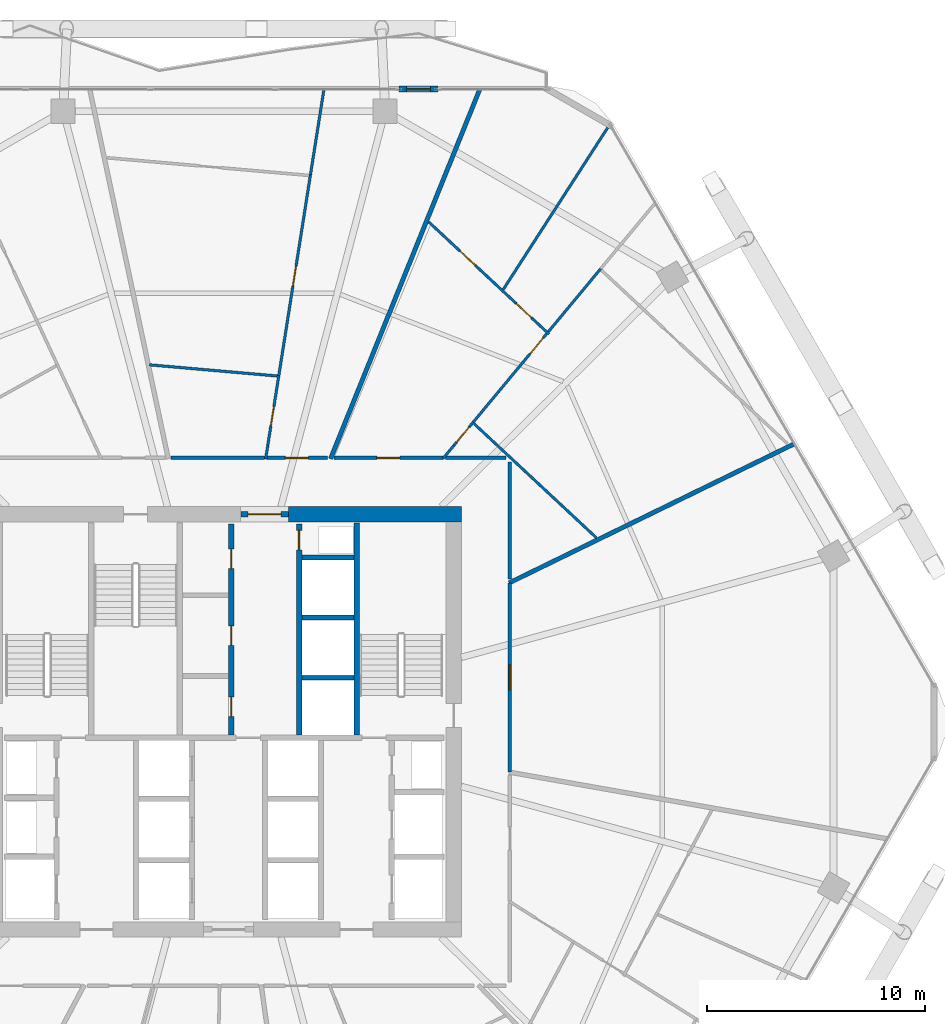
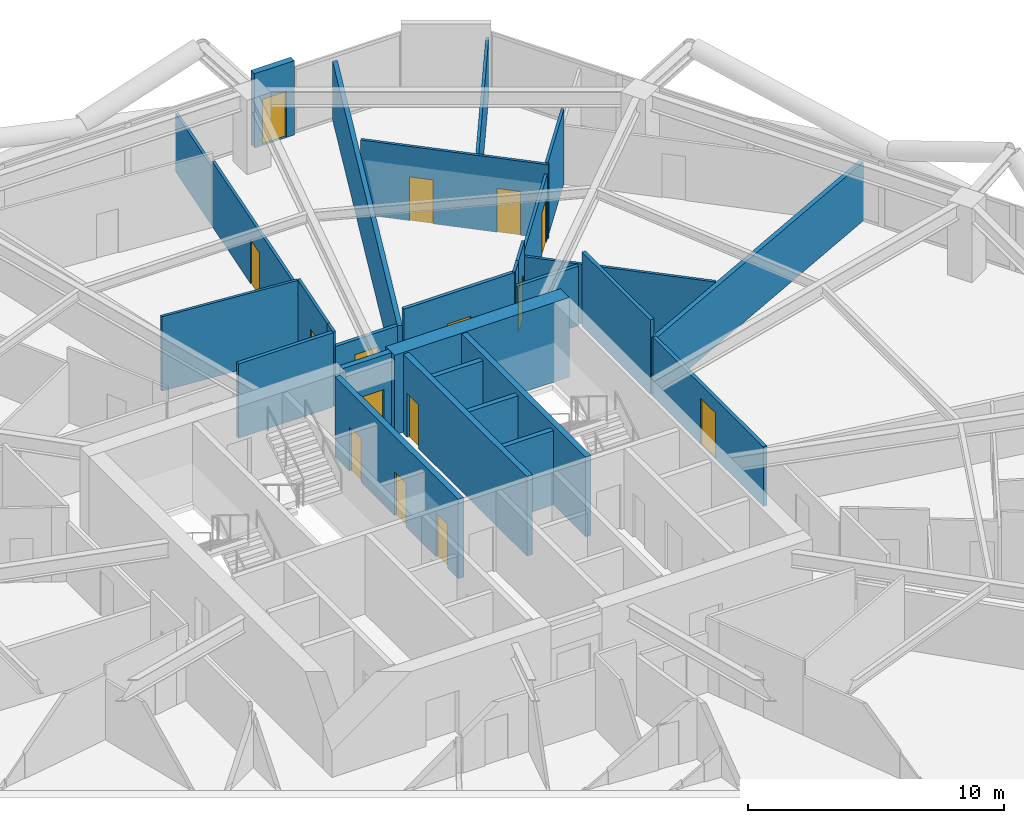
# One storey, part 31 of 35: 29 walls, 15 doors, 15 openings.
"""IFC4 building model written with IfcOpenShell, lengths in metres."""

from ifc_helpers import new_model, si_unit, direction, frame, frame_2d, origin, place, context, subcontext, project, spatial, rectangle, extrude, material, layer, layer_set, type_object, element, fill, save


model = new_model("IFC4")

# Units and contexts
model_context = context("Model", 3, precision=1e-05, world=origin(), true_north=direction((0.0, 1.0)))
body_context = subcontext(model_context, "Body", "Model", "MODEL_VIEW")
ifc_project = project(units=[si_unit("LENGTHUNIT", "METRE"), si_unit("AREAUNIT", "SQUARE_METRE"), si_unit("VOLUMEUNIT", "CUBIC_METRE"), si_unit("PLANEANGLEUNIT", "RADIAN"), si_unit("MASSUNIT", "GRAM", prefix="KILO")], contexts=[model_context])

# Site, building, storey
site_placement = place(None, origin())
site = spatial("IfcSite", under=ifc_project, at=site_placement, CompositionType="ELEMENT")
building_placement = place(site_placement, origin())
building = spatial("IfcBuilding", under=site, at=building_placement, Name="Zuhravey Tower", CompositionType="ELEMENT")
storey_placement = place(building_placement, frame((0.0, 0.0, 138.0)))
storey = spatial("IfcBuildingStorey", under=building, at=storey_placement, Name="L34", CompositionType="ELEMENT", Elevation=138.0)

# Wall
ifc_material_1 = material(Name="Concrete C60/75", Category="concrete")
ifc_layer_1 = layer(ifc_material_1, 0.699951171875)
ifc_layer_set_1 = layer_set([ifc_layer_1], Name="Concrete C60/75")
wall_type_1 = type_object("IfcWallType", Name="Core Shear Wall 700", PredefinedType="SHEAR", material=ifc_layer_set_1)
wall_1_placement = place(storey_placement, frame((46.85009765625, 41.5, 0.0), z_axis=(0.0, 0.0, 1.0), x_axis=(-1.0, 0.0, 0.0)))
element("IfcWall", 1, at=wall_1_placement, inside=storey, type_object=wall_type_1, Name="L34 North-East Core Shear Wall CW70", PredefinedType="SHEAR", context=body_context, shape_type="SweptSolid", body=[
    extrude(rectangle(XDim=7.900146484375, YDim=0.699951171875, at=frame_2d((3.9501953125, 0.0))), origin(), (0.0, 0.0, 1.0), 3.800048828125),
])

# Wall, opening, door
ifc_material_2 = material(Name="Gypsum fire-rated stud partition")
ifc_layer_2 = layer(ifc_material_2, 0.159912109375)
ifc_layer_set_2 = layer_set([ifc_layer_2], Name="Gypsum fire-rated stud partition")
wall_type_2 = type_object("IfcWallType", Name="Corridor Fire Partition 160", PredefinedType="PARTITIONING", material=ifc_layer_set_2)
wall_2_placement = place(storey_placement, frame((46.010009765625, 44.080078125, 0.0), z_axis=(0.0, 0.0, 1.0), x_axis=(-1.0, 0.0, 0.0)))
wall_2 = element("IfcWall", 2, at=wall_2_placement, inside=storey, type_object=wall_type_2, Name="L34 IW16 Partition 024", PredefinedType="PARTITIONING", context=body_context, shape_type="SweptSolid", body=[
    extrude(rectangle(XDim=4.984619140625, YDim=0.159912109375, at=frame_2d((2.4921875, 0.0))), origin(), (0.0, 0.0, 1.0), 3.550048828125),
])
opening_1_placement = place(wall_2_placement, frame((1.96728515625, 0.0, 0.0)))
opening_1 = element("IfcOpeningElement", 3, at=opening_1_placement, cuts=wall_2, Name="Opening APD1", PredefinedType="OPENING", context=body_context, shape_type="SweptSolid", body=[
    extrude(rectangle(XDim=1.050048828125, YDim=2.14990234375, at=frame_2d((0.52490234375, 1.074951171875))), frame((0.0, 0.092041015625, 0.0), z_axis=(0.0, -1.0, 0.0), x_axis=(1.0, 0.0, 0.0)), (0.0, 0.0, 1.0), 0.183837890625),
])
ifc_material_3 = material(Name="Solid-core oak fire-rated leaf")
door_type_1 = type_object("IfcDoorType", Name="Apartment Entrance Fire Door 1050x2150", OperationType="NOTDEFINED", PredefinedType="DOOR", material=ifc_material_3)
door_1_placement = place(opening_1_placement, frame((1.050048828125, 0.0, 0.0), z_axis=(0.0, 0.0, 1.0), x_axis=(-1.0, 0.0, 0.0)))
door_1 = element("IfcDoor", 4, at=door_1_placement, inside=storey, type_object=door_type_1, Name="L34 Door 024.1", OperationType="SINGLE_SWING_RIGHT", OverallHeight=2.14990234375, OverallWidth=1.050048828125, PredefinedType="DOOR", context=body_context, shape_type="SweptSolid", body=[
    extrude(rectangle(XDim=1.050048828125, YDim=2.14990234375, at=frame_2d((0.52490234375, 1.074951171875))), frame((0.0, 0.02490234375, 0.0), z_axis=(0.0, -1.0, 0.0), x_axis=(1.0, 0.0, 0.0)), (0.0, 0.0, 1.0), 0.050048828125),
])
fill(opening_1, door_1)

wall_3_placement = place(storey_placement, frame((40.73681640625, 44.080078125, 0.0), z_axis=(0.0, 0.0, 1.0), x_axis=(-1.0, 0.0, 0.0)))
wall_3 = element("IfcWall", 5, at=wall_3_placement, inside=storey, type_object=wall_type_2, Name="L34 IW16 Partition 028", PredefinedType="PARTITIONING", context=body_context, shape_type="SweptSolid", body=[
    extrude(rectangle(XDim=2.81201171875, YDim=0.159912109375, at=frame_2d((1.406005859375, 0.0))), origin(), (0.0, 0.0, 1.0), 2.85009765625),
])
opening_2_placement = place(wall_3_placement, frame((0.881103515625, 0.0, 0.0)))
opening_2 = element("IfcOpeningElement", 6, at=opening_2_placement, cuts=wall_3, Name="Opening APD1", PredefinedType="OPENING", context=body_context, shape_type="SweptSolid", body=[
    extrude(rectangle(XDim=1.050048828125, YDim=2.14990234375, at=frame_2d((0.52490234375, 1.074951171875))), frame((0.0, 0.092041015625, 0.0), z_axis=(0.0, -1.0, 0.0), x_axis=(1.0, 0.0, 0.0)), (0.0, 0.0, 1.0), 0.183837890625),
])
door_2_placement = place(opening_2_placement, frame((1.050048828125, 0.0, 0.0), z_axis=(0.0, 0.0, 1.0), x_axis=(-1.0, 0.0, 0.0)))
door_2 = element("IfcDoor", 7, at=door_2_placement, inside=storey, type_object=door_type_1, Name="L34 Door 028.1", OperationType="SINGLE_SWING_RIGHT", OverallHeight=2.14990234375, OverallWidth=1.050048828125, PredefinedType="DOOR", context=body_context, shape_type="SweptSolid", body=[
    extrude(rectangle(XDim=1.050048828125, YDim=2.14990234375, at=frame_2d((0.52490234375, 1.074951171875))), frame((0.0, 0.02490234375, 0.0), z_axis=(0.0, -1.0, 0.0), x_axis=(1.0, 0.0, 0.0)), (0.0, 0.0, 1.0), 0.050048828125),
])
fill(opening_2, door_2)

wall_4_placement = place(storey_placement, frame((49.080078125, 29.714111328125, 0.0), z_axis=(0.0, 0.0, 1.0), x_axis=(0.0, 1.0, 0.0)))
wall_4 = element("IfcWall", 8, at=wall_4_placement, inside=storey, type_object=wall_type_2, Name="L34 IW16 Partition 065", PredefinedType="PARTITIONING", context=body_context, shape_type="SweptSolid", body=[
    extrude(rectangle(XDim=8.643310546875, YDim=0.159912109375, at=frame_2d((4.32177734375, 0.0))), origin(), (0.0, 0.0, 1.0), 2.85009765625),
])
opening_3_placement = place(wall_4_placement, frame((3.74658203125, 0.0, 0.0)))
opening_3 = element("IfcOpeningElement", 9, at=opening_3_placement, cuts=wall_4, Name="Opening CLD1", PredefinedType="OPENING", context=body_context, shape_type="SweptSolid", body=[
    extrude(rectangle(XDim=1.14990234375, YDim=2.199951171875, at=frame_2d((0.574951171875, 1.10009765625))), frame((0.0, 0.092041015625, 0.0), z_axis=(0.0, -1.0, 0.0), x_axis=(1.0, 0.0, 0.0)), (0.0, 0.0, 1.0), 0.183837890625),
])
ifc_material_4 = material(Name="Acoustic timber leaf with vision lite", Category="wood")
door_type_2 = type_object("IfcDoorType", Name="Classroom Acoustic Door 1150x2200", OperationType="NOTDEFINED", PredefinedType="DOOR", material=ifc_material_4)
door_3_placement = place(opening_3_placement, frame((1.14990234375, 0.0, 0.0), z_axis=(0.0, 0.0, 1.0), x_axis=(-1.0, 0.0, 0.0)))
door_3 = element("IfcDoor", 10, at=door_3_placement, inside=storey, type_object=door_type_2, Name="L34 Door 065.1", OperationType="SINGLE_SWING_LEFT", OverallHeight=2.199951171875, OverallWidth=1.14990234375, PredefinedType="DOOR", context=body_context, shape_type="SweptSolid", body=[
    extrude(rectangle(XDim=1.14990234375, YDim=2.199951171875, at=frame_2d((0.574951171875, 1.10009765625))), frame((0.0, 0.02490234375, 0.0), z_axis=(0.0, -1.0, 0.0), x_axis=(1.0, 0.0, 0.0)), (0.0, 0.0, 1.0), 0.050048828125),
])
fill(opening_3, door_3)

# Walls
wall_5_placement = place(storey_placement, frame((49.080078125, 38.543701171875, 0.0), z_axis=(0.0, 0.0, 1.0), x_axis=(0.0, 1.0, 0.0)))
element("IfcWall", 11, at=wall_5_placement, inside=storey, type_object=wall_type_2, Name="L34 IW16 Partition 121", PredefinedType="PARTITIONING", context=body_context, shape_type="SweptSolid", body=[
    extrude(rectangle(XDim=5.356201171875, YDim=0.159912109375, at=frame_2d((2.67822265625, 0.0))), origin(), (0.0, 0.0, 1.0), 3.550048828125),
])
wall_6_placement = place(storey_placement, frame((48.89990234375, 44.080078125, 0.0), z_axis=(0.0, 0.0, 1.0), x_axis=(-1.0, 0.0, 0.0)))
element("IfcWall", 12, at=wall_6_placement, inside=storey, type_object=wall_type_2, Name="L34 IW16 Partition 122", PredefinedType="PARTITIONING", context=body_context, shape_type="SweptSolid", body=[
    extrude(rectangle(XDim=2.775390625, YDim=0.159912109375, at=frame_2d((1.3876953125, 0.0))), origin(), (0.0, 0.0, 1.0), 2.85009765625),
])
wall_7_placement = place(storey_placement, frame((37.835693359375, 44.080078125, 0.0), z_axis=(0.0, 0.0, 1.0), x_axis=(-1.0, 0.0, 0.0)))
element("IfcWall", 13, at=wall_7_placement, inside=storey, type_object=wall_type_2, Name="L34 IW16 Partition 123", PredefinedType="PARTITIONING", context=body_context, shape_type="SweptSolid", body=[
    extrude(rectangle(XDim=4.27294921875, YDim=0.159912109375, at=frame_2d((2.136474609375, 0.0))), origin(), (0.0, 0.0, 1.0), 3.550048828125),
])

# Wall, opening, door
ifc_material_5 = material(Name="Precast concrete C40/50", Category="concrete")
ifc_layer_3 = layer(ifc_material_5, 0.280029296875)
ifc_layer_set_3 = layer_set([ifc_layer_3], Name="Precast concrete C40/50")
wall_type_3 = type_object("IfcWallType", Name="Crown Architectural Wall 280", PredefinedType="SOLIDWALL", material=ifc_layer_set_3)
wall_8_placement = place(storey_placement, frame((43.993408203125, 60.95849609375, 0.0), z_axis=(0.0, 0.0, 1.0), x_axis=(1.0, 0.0, 0.0)))
wall_8 = element("IfcWall", 14, at=wall_8_placement, inside=storey, type_object=wall_type_3, Name="L34 Face 2 Facade Pier EW28-1", PredefinedType="SOLIDWALL", context=body_context, shape_type="SweptSolid", body=[
    extrude(rectangle(XDim=1.7900390625, YDim=0.280029296875, at=frame_2d((0.89501953125, 0.0))), origin(), (0.0, 0.0, 1.0), 3.550048828125),
])
opening_4_placement = place(wall_8_placement, frame((0.344970703125, 0.0, 0.0)))
opening_4 = element("IfcOpeningElement", 15, at=opening_4_placement, cuts=wall_8, Name="Opening BLD1", PredefinedType="OPENING", context=body_context, shape_type="SweptSolid", body=[
    extrude(rectangle(XDim=1.10009765625, YDim=2.199951171875, at=frame_2d((0.550048828125, 1.10009765625))), frame((0.0, 0.152099609375, 0.0), z_axis=(0.0, -1.0, 0.0), x_axis=(1.0, 0.0, 0.0)), (0.0, 0.0, 1.0), 0.303955078125),
])
ifc_material_6 = material(Name="Thermally broken aluminium and low-E glass", Category="aluminium")
door_type_3 = type_object("IfcDoorType", Name="Balcony & Sky-Tray Glazed Door 1100x2200", OperationType="NOTDEFINED", PredefinedType="DOOR", material=ifc_material_6)
door_4_placement = place(opening_4_placement, frame((1.10009765625, 0.0, 0.0), z_axis=(0.0, 0.0, 1.0), x_axis=(-1.0, 0.0, 0.0)))
door_4 = element("IfcDoor", 16, at=door_4_placement, inside=storey, type_object=door_type_3, Name="L34 Face 2 Wave Balcony Door", OperationType="SINGLE_SWING_RIGHT", OverallHeight=2.199951171875, OverallWidth=1.10009765625, PredefinedType="DOOR", context=body_context, shape_type="SweptSolid", body=[
    extrude(rectangle(XDim=1.10009765625, YDim=2.199951171875, at=frame_2d((0.550048828125, 1.10009765625))), frame((0.0, 0.02490234375, 0.0), z_axis=(0.0, -1.0, 0.0), x_axis=(1.0, 0.0, 0.0)), (0.0, 0.0, 1.0), 0.050048828125),
])
fill(opening_4, door_4)

ifc_material_7 = material(Name="Concrete C50/60", Category="concrete")
ifc_layer_4 = layer(ifc_material_7, 0.25)
ifc_layer_set_4 = layer_set([ifc_layer_4], Name="Concrete C50/60")
wall_type_4 = type_object("IfcWallType", Name="Firefighting Shaft & Stair Wall 250", PredefinedType="SOLIDWALL", material=ifc_layer_set_4)
wall_9_placement = place(storey_placement, frame((36.760009765625, 41.5, 0.0), z_axis=(0.0, 0.0, 1.0), x_axis=(1.0, 0.0, 0.0)))
wall_9 = element("IfcWall", 17, at=wall_9_placement, inside=storey, type_object=wall_type_4, Name="L34 FW25 Shaft Wall 002", PredefinedType="SOLIDWALL", context=body_context, shape_type="SweptSolid", body=[
    extrude(rectangle(XDim=2.179931640625, YDim=0.25, at=frame_2d((1.08984375, 0.0))), origin(), (0.0, 0.0, 1.0), 3.800048828125),
])
opening_5_placement = place(wall_9_placement, frame((0.340087890625, 0.0, 0.0)))
opening_5 = element("IfcOpeningElement", 18, at=opening_5_placement, cuts=wall_9, Name="Opening FFD1", PredefinedType="OPENING", context=body_context, shape_type="SweptSolid", body=[
    extrude(rectangle(XDim=1.5, YDim=2.14990234375, at=frame_2d((0.75, 1.074951171875))), frame((0.0, 0.136962890625, 0.0), z_axis=(0.0, -1.0, 0.0), x_axis=(1.0, 0.0, 0.0)), (0.0, 0.0, 1.0), 0.27392578125),
])
ifc_material_8 = material(Name="Galvanised fire-rated steel leaf", Category="steel")
door_type_4 = type_object("IfcDoorType", Name="Firefighting Lobby Double Door 1500x2150", OperationType="DOUBLE_DOOR_SINGLE_SWING", PredefinedType="DOOR", material=ifc_material_8)
door_5_placement = place(opening_5_placement, origin())
door_5 = element("IfcDoor", 19, at=door_5_placement, inside=storey, type_object=door_type_4, Name="L34 North Lift Lobby Exit Door", OperationType="DOUBLE_DOOR_SINGLE_SWING", OverallHeight=2.14990234375, OverallWidth=1.5, PredefinedType="DOOR", context=body_context, shape_type="SweptSolid", body=[
    extrude(rectangle(XDim=1.5, YDim=2.14990234375, at=frame_2d((0.75, 1.074951171875))), frame((0.0, 0.02490234375, 0.0), z_axis=(0.0, -1.0, 0.0), x_axis=(1.0, 0.0, 0.0)), (0.0, 0.0, 1.0), 0.050048828125),
])
fill(opening_5, door_5)

# Wall
wall_10_placement = place(storey_placement, frame((42.074951171875, 31.39990234375, 0.0), z_axis=(0.0, 0.0, 1.0), x_axis=(0.0, 1.0, 0.0)))
element("IfcWall", 20, at=wall_10_placement, inside=storey, type_object=wall_type_4, Name="L34 FW25 Shaft Wall 006", PredefinedType="SOLIDWALL", context=body_context, shape_type="SweptSolid", body=[
    extrude(rectangle(XDim=9.7001953125, YDim=0.25, at=frame_2d((4.85009765625, 0.0))), origin(), (0.0, 0.0, 1.0), 3.800048828125),
])

# Wall, openings, doors
wall_11_placement = place(storey_placement, frame((36.324951171875, 31.39990234375, 0.0), z_axis=(0.0, 0.0, 1.0), x_axis=(0.0, 1.0, 0.0)))
wall_11 = element("IfcWall", 21, at=wall_11_placement, inside=storey, type_object=wall_type_4, Name="L34 FW25 Shaft Wall 007", PredefinedType="SOLIDWALL", context=body_context, shape_type="SweptSolid", body=[
    extrude(rectangle(XDim=9.650146484375, YDim=0.25, at=frame_2d((4.8251953125, 0.0))), origin(), (0.0, 0.0, 1.0), 3.800048828125),
])
opening_6_placement = place(wall_11_placement, frame((0.840087890625, 0.0, 0.0)))
opening_6 = element("IfcOpeningElement", 22, at=opening_6_placement, cuts=wall_11, Name="Opening RSD1", PredefinedType="OPENING", context=body_context, shape_type="SweptSolid", body=[
    extrude(rectangle(XDim=0.89990234375, YDim=2.10009765625, at=frame_2d((0.449951171875, 1.050048828125))), frame((0.0, 0.136962890625, 0.0), z_axis=(0.0, -1.0, 0.0), x_axis=(1.0, 0.0, 0.0)), (0.0, 0.0, 1.0), 0.27392578125),
])
opening_7_placement = place(wall_11_placement, frame((4.10009765625, 0.0, 0.0)))
opening_7 = element("IfcOpeningElement", 23, at=opening_7_placement, cuts=wall_11, Name="Opening RSD1", PredefinedType="OPENING", context=body_context, shape_type="SweptSolid", body=[
    extrude(rectangle(XDim=0.89990234375, YDim=2.10009765625, at=frame_2d((0.449951171875, 1.050048828125))), frame((0.0, 0.136962890625, 0.0), z_axis=(0.0, -1.0, 0.0), x_axis=(1.0, 0.0, 0.0)), (0.0, 0.0, 1.0), 0.27392578125),
])
opening_8_placement = place(wall_11_placement, frame((7.610107421875, 0.0, 0.0)))
opening_8 = element("IfcOpeningElement", 24, at=opening_8_placement, cuts=wall_11, Name="Opening RSD1", PredefinedType="OPENING", context=body_context, shape_type="SweptSolid", body=[
    extrude(rectangle(XDim=0.89990234375, YDim=2.10009765625, at=frame_2d((0.449951171875, 1.050048828125))), frame((0.0, 0.136962890625, 0.0), z_axis=(0.0, -1.0, 0.0), x_axis=(1.0, 0.0, 0.0)), (0.0, 0.0, 1.0), 0.27392578125),
])
ifc_material_9 = material(Name="Galvanised fire-rated steel access leaf", Category="steel")
door_type_5 = type_object("IfcDoorType", Name="Riser & Shaft Access Fire Door 900x2100", OperationType="NOTDEFINED", PredefinedType="DOOR", material=ifc_material_9)
door_6_placement = place(opening_6_placement, origin())
door_6 = element("IfcDoor", 25, at=door_6_placement, inside=storey, type_object=door_type_5, Name="L34 Core Staff WC Door", OperationType="SINGLE_SWING_RIGHT", OverallHeight=2.10009765625, OverallWidth=0.89990234375, PredefinedType="DOOR", context=body_context, shape_type="SweptSolid", body=[
    extrude(rectangle(XDim=0.89990234375, YDim=2.10009765625, at=frame_2d((0.449951171875, 1.050048828125))), frame((0.0, 0.02490234375, 0.0), z_axis=(0.0, -1.0, 0.0), x_axis=(1.0, 0.0, 0.0)), (0.0, 0.0, 1.0), 0.050048828125),
])
fill(opening_6, door_6)
door_7_placement = place(opening_7_placement, origin())
door_7 = element("IfcDoor", 26, at=door_7_placement, inside=storey, type_object=door_type_5, Name="L34 IT and Comms Room Door", OperationType="SINGLE_SWING_LEFT", OverallHeight=2.10009765625, OverallWidth=0.89990234375, PredefinedType="DOOR", context=body_context, shape_type="SweptSolid", body=[
    extrude(rectangle(XDim=0.89990234375, YDim=2.10009765625, at=frame_2d((0.449951171875, 1.050048828125))), frame((0.0, 0.02490234375, 0.0), z_axis=(0.0, -1.0, 0.0), x_axis=(1.0, 0.0, 0.0)), (0.0, 0.0, 1.0), 0.050048828125),
])
fill(opening_7, door_7)
door_8_placement = place(opening_8_placement, origin())
door_8 = element("IfcDoor", 27, at=door_8_placement, inside=storey, type_object=door_type_5, Name="L34 Janitor Linen Store Door", OperationType="SINGLE_SWING_RIGHT", OverallHeight=2.10009765625, OverallWidth=0.89990234375, PredefinedType="DOOR", context=body_context, shape_type="SweptSolid", body=[
    extrude(rectangle(XDim=0.89990234375, YDim=2.10009765625, at=frame_2d((0.449951171875, 1.050048828125))), frame((0.0, 0.02490234375, 0.0), z_axis=(0.0, -1.0, 0.0), x_axis=(1.0, 0.0, 0.0)), (0.0, 0.0, 1.0), 0.050048828125),
])
fill(opening_8, door_8)

# Wall, opening, door
wall_12_placement = place(storey_placement, frame((39.425048828125, 31.39990234375, 0.0), z_axis=(0.0, 0.0, 1.0), x_axis=(0.0, 1.0, 0.0)))
wall_12 = element("IfcWall", 28, at=wall_12_placement, inside=storey, type_object=wall_type_4, Name="L34 FW25 Shaft Wall 008", PredefinedType="SOLIDWALL", context=body_context, shape_type="SweptSolid", body=[
    extrude(rectangle(XDim=9.650146484375, YDim=0.25, at=frame_2d((4.8251953125, 0.0))), origin(), (0.0, 0.0, 1.0), 3.800048828125),
])
opening_9_placement = place(wall_12_placement, frame((8.469970703125, 0.0, 0.0)))
opening_9 = element("IfcOpeningElement", 29, at=opening_9_placement, cuts=wall_12, Name="Opening RSD1", PredefinedType="OPENING", context=body_context, shape_type="SweptSolid", body=[
    extrude(rectangle(XDim=0.89990234375, YDim=2.10009765625, at=frame_2d((0.449951171875, 1.050048828125))), frame((0.0, 0.136962890625, 0.0), z_axis=(0.0, -1.0, 0.0), x_axis=(1.0, 0.0, 0.0)), (0.0, 0.0, 1.0), 0.27392578125),
])
door_9_placement = place(opening_9_placement, origin())
door_9 = element("IfcDoor", 30, at=door_9_placement, inside=storey, type_object=door_type_5, Name="L34 North Riser Door", OperationType="SINGLE_SWING_LEFT", OverallHeight=2.10009765625, OverallWidth=0.89990234375, PredefinedType="DOOR", context=body_context, shape_type="SweptSolid", body=[
    extrude(rectangle(XDim=0.89990234375, YDim=2.10009765625, at=frame_2d((0.449951171875, 1.050048828125))), frame((0.0, 0.02490234375, 0.0), z_axis=(0.0, -1.0, 0.0), x_axis=(1.0, 0.0, 0.0)), (0.0, 0.0, 1.0), 0.050048828125),
])
fill(opening_9, door_9)

# Walls
ifc_material_10 = material(Name="Gypsum double-stud party assembly")
ifc_layer_5 = layer(ifc_material_10, 0.199951171875)
ifc_layer_set_5 = layer_set([ifc_layer_5], Name="Gypsum double-stud party assembly")
wall_type_5 = type_object("IfcWallType", Name="Inter-Tenancy Party Wall 200", PredefinedType="PARTITIONING", material=ifc_layer_set_5)
wall_13_placement = place(storey_placement, frame((49.0400390625, 38.360107421875, 0.0), z_axis=(0.0, 0.0, 1.0), x_axis=(0.898795428948, 0.438368311927, 0.0)))
element("IfcWall", 31, at=wall_13_placement, inside=storey, type_object=wall_type_5, Name="L34 IW20 Partition 075", PredefinedType="PARTITIONING", context=body_context, shape_type="SweptSolid", body=[
    extrude(rectangle(XDim=14.520751953125, YDim=0.199951171875, at=frame_2d((7.26025390625, 0.0))), origin(), (0.0, 0.0, 1.0), 2.800048828125),
])
wall_14_placement = place(storey_placement, frame((40.864501953125, 44.0400390625, 0.0), z_axis=(0.0, 0.0, 1.0), x_axis=(0.374604184898, 0.927184827668, 0.0)))
element("IfcWall", 32, at=wall_14_placement, inside=storey, type_object=wall_type_5, Name="L34 IW20 Partition 080", PredefinedType="PARTITIONING", context=body_context, shape_type="SweptSolid", body=[
    extrude(rectangle(XDim=18.2470703125, YDim=0.199951171875, at=frame_2d((9.12353515625, 0.0))), origin(), (0.0, 0.0, 1.0), 2.800048828125),
])
ifc_material_11 = material(Name="Gypsum acoustic stud assembly")
ifc_layer_6 = layer(ifc_material_11, 0.219970703125)
ifc_layer_set_6 = layer_set([ifc_layer_6], Name="Gypsum acoustic stud assembly")
wall_type_6 = type_object("IfcWallType", Name="School Acoustic Compartment Wall 220", PredefinedType="PARTITIONING", material=ifc_layer_set_6)
for number, where, z_axis, x_axis, name in (
    (33, (39.55810546875, 34.02490234375, 0.0), (0.0, 0.0, 1.0), (1.0, 0.0, 0.0), "L34 IW22 Partition 068"),
    (34, (39.55810546875, 36.77490234375, 0.0), (0.0, 0.0, 1.0), (1.0, 0.0, 0.0), "L34 IW22 Partition 069"),
    (35, (39.55810546875, 39.52490234375, 0.0), (0.0, 0.0, 1.0), (1.0, 0.0, 0.0), "L34 IW22 Partition 070"),
):
    element("IfcWall", number, at=place(storey_placement, frame(where, z_axis=z_axis, x_axis=x_axis)), inside=storey, type_object=wall_type_6, Name=name, PredefinedType="PARTITIONING", context=body_context, shape_type="SweptSolid", body=[
        extrude(rectangle(XDim=2.3837890625, YDim=0.219970703125, at=frame_2d((1.19189453125, 0.0))), origin(), (0.0, 0.0, 1.0), 3.550048828125),
    ])

# Wall, openings, doors
ifc_material_12 = material(Name="Gypsum metal-stud partition")
ifc_layer_7 = layer(ifc_material_12, 0.1201171875)
ifc_layer_set_7 = layer_set([ifc_layer_7], Name="Gypsum metal-stud partition")
wall_type_7 = type_object("IfcWallType", Name="Unit Internal Partition 120", PredefinedType="PARTITIONING", material=ifc_layer_set_7)
wall_15_placement = place(storey_placement, frame((50.87158203125, 49.743896484375, 0.0), z_axis=(0.0, 0.0, 1.0), x_axis=(-0.731331373679, 0.682022303062, 0.0)))
wall_15 = element("IfcWall", 36, at=wall_15_placement, inside=storey, type_object=wall_type_7, Name="L34 IW12 Partition 019", PredefinedType="PARTITIONING", context=body_context, shape_type="SweptSolid", body=[
    extrude(rectangle(XDim=7.52587890625, YDim=0.1201171875, at=frame_2d((3.762939453125, 0.0))), origin(), (0.0, 0.0, 1.0), 3.550048828125),
])
opening_10_placement = place(wall_15_placement, frame((1.10693359375, 0.0, 0.0)))
opening_10 = element("IfcOpeningElement", 37, at=opening_10_placement, cuts=wall_15, Name="Opening IND1", PredefinedType="OPENING", context=body_context, shape_type="SweptSolid", body=[
    extrude(rectangle(XDim=0.949951171875, YDim=2.10009765625, at=frame_2d((0.47509765625, 1.050048828125))), frame((0.0, 0.072021484375, 0.0), z_axis=(0.0, -1.0, 0.0), x_axis=(1.0, 0.0, 0.0)), (0.0, 0.0, 1.0), 0.14404296875),
])
opening_11_placement = place(wall_15_placement, frame((4.6279296875, 0.0, 0.0)))
opening_11 = element("IfcOpeningElement", 38, at=opening_11_placement, cuts=wall_15, Name="Opening IND1", PredefinedType="OPENING", context=body_context, shape_type="SweptSolid", body=[
    extrude(rectangle(XDim=0.949951171875, YDim=2.10009765625, at=frame_2d((0.47509765625, 1.050048828125))), frame((0.0, 0.072021484375, 0.0), z_axis=(0.0, -1.0, 0.0), x_axis=(1.0, 0.0, 0.0)), (0.0, 0.0, 1.0), 0.14404296875),
])
ifc_material_13 = material(Name="Painted engineered timber leaf", Category="wood")
door_type_6 = type_object("IfcDoorType", Name="Internal Room & Bedroom Door 950x2100", OperationType="NOTDEFINED", PredefinedType="DOOR", material=ifc_material_13)
door_10_placement = place(opening_10_placement, frame((0.949951171875, 0.0, 0.0), z_axis=(0.0, 0.0, 1.0), x_axis=(-1.0, 0.0, 0.0)))
door_10 = element("IfcDoor", 39, at=door_10_placement, inside=storey, type_object=door_type_6, Name="Apartment L34-01 Family Study Door", OperationType="SINGLE_SWING_LEFT", OverallHeight=2.10009765625, OverallWidth=0.949951171875, PredefinedType="DOOR", context=body_context, shape_type="SweptSolid", body=[
    extrude(rectangle(XDim=0.949951171875, YDim=2.10009765625, at=frame_2d((0.47509765625, 1.050048828125))), frame((0.0, 0.02490234375, 0.0), z_axis=(0.0, -1.0, 0.0), x_axis=(1.0, 0.0, 0.0)), (0.0, 0.0, 1.0), 0.050048828125),
])
fill(opening_10, door_10)
door_11_placement = place(opening_11_placement, frame((0.949951171875, 0.0, 0.0), z_axis=(0.0, 0.0, 1.0), x_axis=(-1.0, 0.0, 0.0)))
door_11 = element("IfcDoor", 40, at=door_11_placement, inside=storey, type_object=door_type_6, Name="Apartment L34-01 Dining Room Door", OperationType="SINGLE_SWING_RIGHT", OverallHeight=2.10009765625, OverallWidth=0.949951171875, PredefinedType="DOOR", context=body_context, shape_type="SweptSolid", body=[
    extrude(rectangle(XDim=0.949951171875, YDim=2.10009765625, at=frame_2d((0.47509765625, 1.050048828125))), frame((0.0, 0.02490234375, 0.0), z_axis=(0.0, -1.0, 0.0), x_axis=(1.0, 0.0, 0.0)), (0.0, 0.0, 1.0), 0.050048828125),
])
fill(opening_11, door_11)

# Wall, opening, door
wall_16_placement = place(storey_placement, frame((46.509765625, 44.64990234375, 0.0), z_axis=(0.0, 0.0, 1.0), x_axis=(0.639059700244, 0.769157135782, 0.0)))
wall_16 = element("IfcWall", 41, at=wall_16_placement, inside=storey, type_object=wall_type_7, Name="L34 IW12 Partition 020", PredefinedType="PARTITIONING", context=body_context, shape_type="SweptSolid", body=[
    extrude(rectangle(XDim=1.388671875, YDim=0.1201171875, at=frame_2d((0.6943359375, 0.0))), origin(), (0.0, 0.0, 1.0), 3.550048828125),
])
opening_12_placement = place(wall_16_placement, frame((0.199951171875, 0.0, 0.0)))
opening_12 = element("IfcOpeningElement", 42, at=opening_12_placement, cuts=wall_16, Name="Opening WCD1", PredefinedType="OPENING", context=body_context, shape_type="SweptSolid", body=[
    extrude(rectangle(XDim=0.89990234375, YDim=2.10009765625, at=frame_2d((0.449951171875, 1.050048828125))), frame((0.0, 0.072021484375, 0.0), z_axis=(0.0, -1.0, 0.0), x_axis=(1.0, 0.0, 0.0)), (0.0, 0.0, 1.0), 0.14404296875),
])
ifc_material_14 = material(Name="Moisture-resistant timber leaf", Category="wood")
door_type_7 = type_object("IfcDoorType", Name="Bathroom & WC Internal Door 900x2100", OperationType="NOTDEFINED", PredefinedType="DOOR", material=ifc_material_14)
door_12_placement = place(opening_12_placement, frame((0.89990234375, 0.0, 0.0), z_axis=(0.0, 0.0, 1.0), x_axis=(-1.0, 0.0, 0.0)))
door_12 = element("IfcDoor", 43, at=door_12_placement, inside=storey, type_object=door_type_7, Name="Apartment L34-01 Bathroom Door", OperationType="SINGLE_SWING_LEFT", OverallHeight=2.10009765625, OverallWidth=0.89990234375, PredefinedType="DOOR", context=body_context, shape_type="SweptSolid", body=[
    extrude(rectangle(XDim=0.89990234375, YDim=2.10009765625, at=frame_2d((0.449951171875, 1.050048828125))), frame((0.0, 0.02490234375, 0.0), z_axis=(0.0, -1.0, 0.0), x_axis=(1.0, 0.0, 0.0)), (0.0, 0.0, 1.0), 0.050048828125),
])
fill(opening_12, door_12)

wall_17_placement = place(storey_placement, frame((47.397216796875, 45.718017578125, 0.0), z_axis=(0.0, 0.0, 1.0), x_axis=(0.639009121336, 0.769199156818, 0.0)))
wall_17 = element("IfcWall", 44, at=wall_17_placement, inside=storey, type_object=wall_type_7, Name="L34 IW12 Partition 021", PredefinedType="PARTITIONING", context=body_context, shape_type="SweptSolid", body=[
    extrude(rectangle(XDim=5.25439453125, YDim=0.1201171875, at=frame_2d((2.627197265625, 0.0))), origin(), (0.0, 0.0, 1.0), 3.10009765625),
])
opening_13_placement = place(wall_17_placement, frame((4.064208984375, 0.0, 0.0)))
opening_13 = element("IfcOpeningElement", 45, at=opening_13_placement, cuts=wall_17, Name="Opening IND1", PredefinedType="OPENING", context=body_context, shape_type="SweptSolid", body=[
    extrude(rectangle(XDim=0.949951171875, YDim=2.10009765625, at=frame_2d((0.47509765625, 1.050048828125))), frame((0.0, 0.072021484375, 0.0), z_axis=(0.0, -1.0, 0.0), x_axis=(1.0, 0.0, 0.0)), (0.0, 0.0, 1.0), 0.14404296875),
])
door_13_placement = place(opening_13_placement, frame((0.949951171875, 0.0, 0.0), z_axis=(0.0, 0.0, 1.0), x_axis=(-1.0, 0.0, 0.0)))
door_13 = element("IfcDoor", 46, at=door_13_placement, inside=storey, type_object=door_type_6, Name="Apartment L34-01 Home Office Door", OperationType="SINGLE_SWING_RIGHT", OverallHeight=2.10009765625, OverallWidth=0.949951171875, PredefinedType="DOOR", context=body_context, shape_type="SweptSolid", body=[
    extrude(rectangle(XDim=0.949951171875, YDim=2.10009765625, at=frame_2d((0.47509765625, 1.050048828125))), frame((0.0, 0.02490234375, 0.0), z_axis=(0.0, -1.0, 0.0), x_axis=(1.0, 0.0, 0.0)), (0.0, 0.0, 1.0), 0.050048828125),
])
fill(opening_13, door_13)

# Wall
wall_18_placement = place(storey_placement, frame((50.842041015625, 49.864501953125, 0.0), z_axis=(0.0, 0.0, 1.0), x_axis=(0.639020883538, 0.769189385264, 0.0)))
element("IfcWall", 47, at=wall_18_placement, inside=storey, type_object=wall_type_7, Name="L34 IW12 Partition 022", PredefinedType="PARTITIONING", context=body_context, shape_type="SweptSolid", body=[
    extrude(rectangle(XDim=3.738037109375, YDim=0.1201171875, at=frame_2d((1.869140625, 0.0))), origin(), (0.0, 0.0, 1.0), 3.550048828125),
])

# Wall, opening, door
wall_19_placement = place(storey_placement, frame((37.994384765625, 44.64990234375, 0.0), z_axis=(0.0, 0.0, 1.0), x_axis=(0.155776809329, 0.987792278607, 0.0)))
wall_19 = element("IfcWall", 48, at=wall_19_placement, inside=storey, type_object=wall_type_7, Name="L34 IW12 Partition 025", PredefinedType="PARTITIONING", context=body_context, shape_type="SweptSolid", body=[
    extrude(rectangle(XDim=3.239501953125, YDim=0.1201171875, at=frame_2d((1.61962890625, 0.0))), origin(), (0.0, 0.0, 1.0), 3.550048828125),
])
opening_14_placement = place(wall_19_placement, frame((0.91064453125, 0.0, 0.0)))
opening_14 = element("IfcOpeningElement", 49, at=opening_14_placement, cuts=wall_19, Name="Opening WCD1", PredefinedType="OPENING", context=body_context, shape_type="SweptSolid", body=[
    extrude(rectangle(XDim=0.89990234375, YDim=2.10009765625, at=frame_2d((0.449951171875, 1.050048828125))), frame((0.0, 0.072021484375, 0.0), z_axis=(0.0, -1.0, 0.0), x_axis=(1.0, 0.0, 0.0)), (0.0, 0.0, 1.0), 0.14404296875),
])
door_14_placement = place(opening_14_placement, origin())
door_14 = element("IfcDoor", 50, at=door_14_placement, inside=storey, type_object=door_type_7, Name="Apartment L34-02 Bathroom Door", OperationType="SINGLE_SWING_LEFT", OverallHeight=2.10009765625, OverallWidth=0.89990234375, PredefinedType="DOOR", context=body_context, shape_type="SweptSolid", body=[
    extrude(rectangle(XDim=0.89990234375, YDim=2.10009765625, at=frame_2d((0.449951171875, 1.050048828125))), frame((0.0, 0.02490234375, 0.0), z_axis=(0.0, -1.0, 0.0), x_axis=(1.0, 0.0, 0.0)), (0.0, 0.0, 1.0), 0.050048828125),
])
fill(opening_14, door_14)

wall_20_placement = place(storey_placement, frame((38.4990234375, 47.849853515625, 0.0), z_axis=(0.0, 0.0, 1.0), x_axis=(0.155739968207, 0.987798087821, 0.0)))
wall_20 = element("IfcWall", 51, at=wall_20_placement, inside=storey, type_object=wall_type_7, Name="L34 IW12 Partition 026", PredefinedType="PARTITIONING", context=body_context, shape_type="SweptSolid", body=[
    extrude(rectangle(XDim=9.292724609375, YDim=0.1201171875, at=frame_2d((4.646484375, 0.0))), origin(), (0.0, 0.0, 1.0), 3.10009765625),
])
opening_15_placement = place(wall_20_placement, frame((4.146240234375, 0.0, 0.0)))
opening_15 = element("IfcOpeningElement", 52, at=opening_15_placement, cuts=wall_20, Name="Opening IND1", PredefinedType="OPENING", context=body_context, shape_type="SweptSolid", body=[
    extrude(rectangle(XDim=0.949951171875, YDim=2.10009765625, at=frame_2d((0.47509765625, 1.050048828125))), frame((0.0, 0.072021484375, 0.0), z_axis=(0.0, -1.0, 0.0), x_axis=(1.0, 0.0, 0.0)), (0.0, 0.0, 1.0), 0.14404296875),
])
door_15_placement = place(opening_15_placement, origin())
door_15 = element("IfcDoor", 53, at=door_15_placement, inside=storey, type_object=door_type_6, Name="Apartment L34-02 Home Office Door", OperationType="SINGLE_SWING_RIGHT", OverallHeight=2.10009765625, OverallWidth=0.949951171875, PredefinedType="DOOR", context=body_context, shape_type="SweptSolid", body=[
    extrude(rectangle(XDim=0.949951171875, YDim=2.10009765625, at=frame_2d((0.47509765625, 1.050048828125))), frame((0.0, 0.02490234375, 0.0), z_axis=(0.0, -1.0, 0.0), x_axis=(1.0, 0.0, 0.0)), (0.0, 0.0, 1.0), 0.050048828125),
])
fill(opening_15, door_15)

# Walls
wall_21_placement = place(storey_placement, frame((48.773681640625, 51.79345703125, 0.0), z_axis=(0.0, 0.0, 1.0), x_axis=(0.542247135823, 0.840219045066, 0.0)))
element("IfcWall", 54, at=wall_21_placement, inside=storey, type_object=wall_type_7, Name="L34 IW12 Partition 076", PredefinedType="PARTITIONING", context=body_context, shape_type="SweptSolid", body=[
    extrude(rectangle(XDim=9.01611328125, YDim=0.1201171875, at=frame_2d((4.508056640625, 0.0))), origin(), (0.0, 0.0, 1.0), 2.800048828125),
])
wall_22_placement = place(storey_placement, frame((46.010009765625, 44.048583984375, 0.0), z_axis=(0.0, 0.0, 1.0), x_axis=(0.639170318342, 0.769065214498, 0.0)))
element("IfcWall", 55, at=wall_22_placement, inside=storey, type_object=wall_type_7, Name="L34 IW12 Partition 077", PredefinedType="PARTITIONING", context=body_context, shape_type="SweptSolid", body=[
    extrude(rectangle(XDim=0.781982421875, YDim=0.1201171875, at=frame_2d((0.39111328125, 0.0))), origin(), (0.0, 0.0, 1.0), 3.550048828125),
])
wall_23_placement = place(storey_placement, frame((53.033447265625, 40.427978515625, 0.0), z_axis=(0.0, 0.0, 1.0), x_axis=(-0.731359363813, 0.681992288053, 0.0)))
element("IfcWall", 56, at=wall_23_placement, inside=storey, type_object=wall_type_7, Name="L34 IW12 Partition 079", PredefinedType="PARTITIONING", context=body_context, shape_type="SweptSolid", body=[
    extrude(rectangle(XDim=7.660400390625, YDim=0.1201171875, at=frame_2d((3.830078125, 0.0))), origin(), (0.0, 0.0, 1.0), 2.85009765625),
])
wall_24_placement = place(storey_placement, frame((37.8974609375, 44.034912109375, 0.0), z_axis=(0.0, 0.0, 1.0), x_axis=(0.155680648321, 0.987807438592, 0.0)))
element("IfcWall", 57, at=wall_24_placement, inside=storey, type_object=wall_type_7, Name="L34 IW12 Partition 081", PredefinedType="PARTITIONING", context=body_context, shape_type="SweptSolid", body=[
    extrude(rectangle(XDim=0.62255859375, YDim=0.1201171875, at=frame_2d((0.311279296875, 0.0))), origin(), (0.0, 0.0, 1.0), 3.550048828125),
])
wall_25_placement = place(storey_placement, frame((39.9462890625, 57.029296875, 0.0), z_axis=(0.0, 0.0, 1.0), x_axis=(0.155773687756, 0.98779277088, 0.0)))
element("IfcWall", 58, at=wall_25_placement, inside=storey, type_object=wall_type_7, Name="L34 IW12 Partition 082", PredefinedType="PARTITIONING", context=body_context, shape_type="SweptSolid", body=[
    extrude(rectangle(XDim=3.982421875, YDim=0.1201171875, at=frame_2d((1.9912109375, 0.0))), origin(), (0.0, 0.0, 1.0), 2.800048828125),
])
wall_26_placement = place(storey_placement, frame((38.42724609375, 47.831298828125, 0.0), z_axis=(0.0, 0.0, 1.0), x_axis=(-0.996197910099, 0.087119021539, 0.0)))
element("IfcWall", 59, at=wall_26_placement, inside=storey, type_object=wall_type_7, Name="L34 IW12 Partition 083", PredefinedType="PARTITIONING", context=body_context, shape_type="SweptSolid", body=[
    extrude(rectangle(XDim=5.876708984375, YDim=0.1201171875, at=frame_2d((2.9384765625, 0.0))), origin(), (0.0, 0.0, 1.0), 3.550048828125),
])

save(model, "model.ifc")
